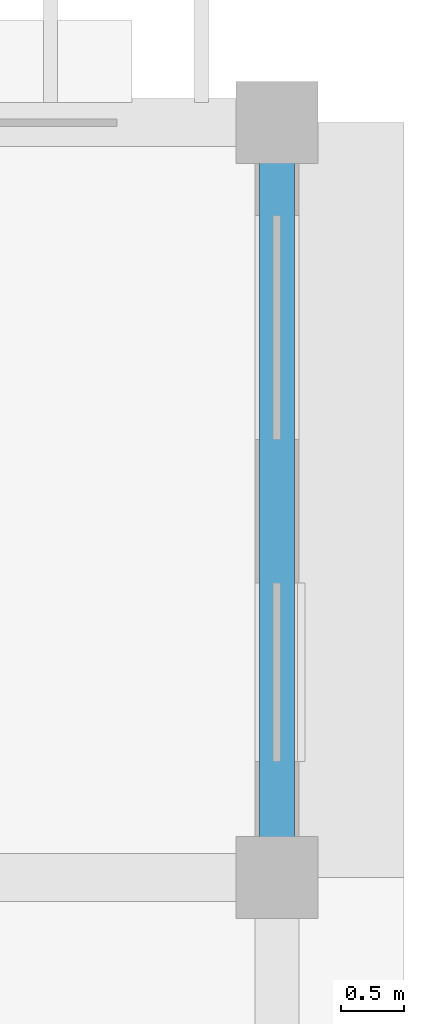
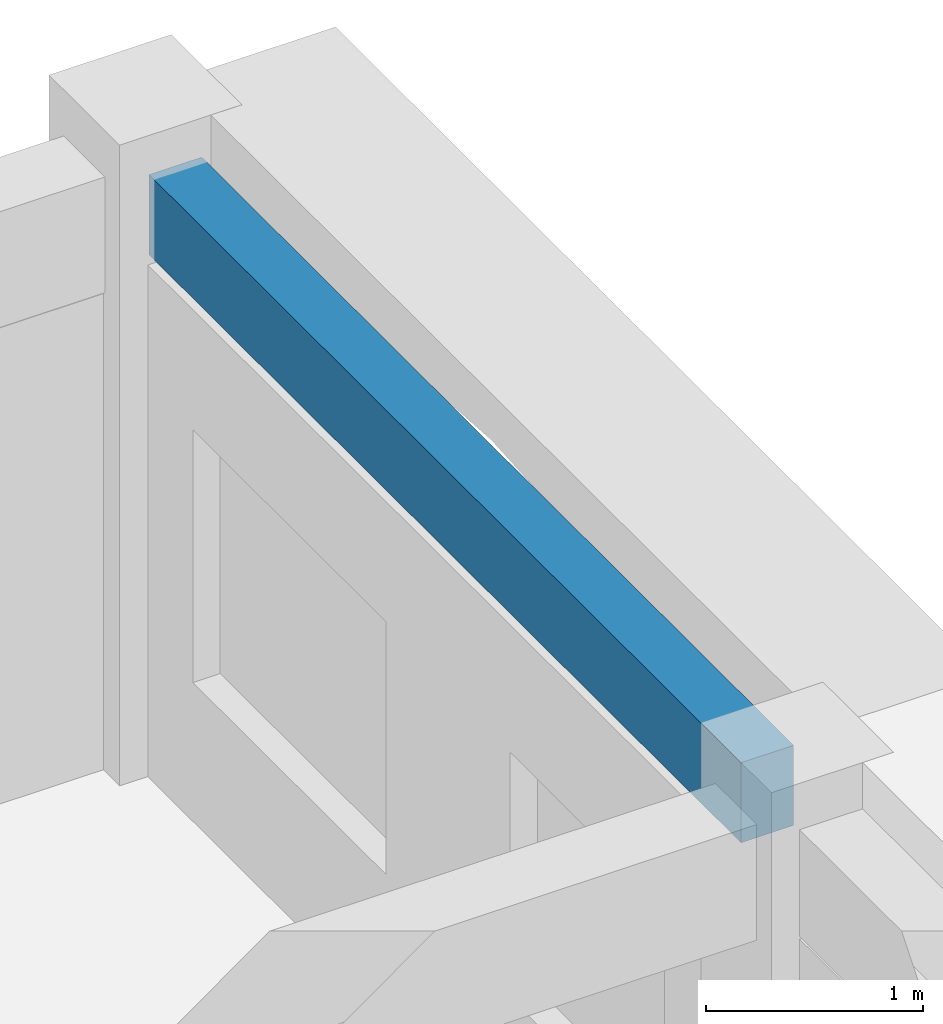
# One storey, part 37 of 88: 1 beam.
"""IFC4 building model written with IfcOpenShell, lengths in metres."""

import ifcopenshell
import ifcopenshell.guid

model = None  # the IFC model being written
_history = None  # IfcOwnerHistory: only IFC2X3 demands one
_inside = {}  # id of a spatial element -> (the spatial element, [elements in it])
_under = {}  # id of a project, library or spatial element -> (it, [spatial elements below it])
_declared = {}  # id of a project -> (the project, [libraries it declares])
_typed = {}  # id of a type object -> (the type object, [elements of that type])
_made_of = {}  # id of a material, layer set ... -> (it, [elements and type objects made of it])


def new_model(schema):
    """Start an empty IFC model of exactly this schema.

    Asked for "IFC4X3", IfcOpenShell would pick the latest addendum, in which some entities
    have other attributes; the version numbers below select the first issue.
    IFC2X3 requires an IfcOwnerHistory on every rooted entity: one is made here for all.
    """
    global model, _history
    if schema == "IFC4X3":
        model = ifcopenshell.file(schema_version=(4, 3, 0, 0))
    else:
        model = ifcopenshell.file(schema=schema)
    _inside.clear()
    _under.clear()
    _declared.clear()
    _typed.clear()
    _made_of.clear()
    _history = None
    if model.schema == "IFC2X3":
        org = make("IfcOrganization", Name="unknown")
        user = make(
            "IfcPersonAndOrganization",
            ThePerson=make("IfcPerson", FamilyName="unknown"),
            TheOrganization=org,
        )
        app = make(
            "IfcApplication",
            ApplicationDeveloper=org,
            Version="unknown",
            ApplicationFullName="unknown",
            ApplicationIdentifier="unknown",
        )
        _history = make(
            "IfcOwnerHistory",
            OwningUser=user,
            OwningApplication=app,
            ChangeAction="ADDED",
            CreationDate=0,
        )
    return model


def make(cls, **values):
    """One entity of the class cls with the attributes given. An attribute that is None is left unset."""
    return model.create_entity(
        cls, **{name: value for name, value in values.items() if value is not None}
    )


def rooted(cls, **values):
    """An entity with a GlobalId (a new one), such as an element, a storey or a relation."""
    return make(cls, GlobalId=ifcopenshell.guid.new(), OwnerHistory=_history, **values)


def si_unit(unit_type, name, prefix=None):
    """IfcSIUnit, for example si_unit("LENGTHUNIT", "METRE", prefix="MILLI")."""
    return make("IfcSIUnit", UnitType=unit_type, Prefix=prefix, Name=name)


def assignment(units):
    """IfcUnitAssignment: the units of a project."""
    return None if units is None else make("IfcUnitAssignment", Units=units)


def point(xyz):
    """IfcCartesianPoint."""
    return None if xyz is None else make("IfcCartesianPoint", Coordinates=xyz)


def direction(xyz):
    """IfcDirection."""
    return None if xyz is None else make("IfcDirection", DirectionRatios=xyz)


def frame(location, z_axis=None, x_axis=None):
    """IfcAxis2Placement3D, a coordinate frame: its origin and axes. An axis left out is left unset."""
    return make(
        "IfcAxis2Placement3D",
        Location=point(location),
        Axis=direction(z_axis),
        RefDirection=direction(x_axis),
    )


def frame_2d(location, x_axis=None):
    """IfcAxis2Placement2D, a coordinate frame in the plane: its origin and x axis."""
    return make(
        "IfcAxis2Placement2D", Location=point(location), RefDirection=direction(x_axis)
    )


def origin():
    """The frame at (0, 0, 0) with its axes left unset."""
    return frame((0.0, 0.0, 0.0))


def origin_2d():
    """The frame at (0, 0) in the plane with its x axis left unset."""
    return frame_2d((0.0, 0.0))


def place(relative_to, where):
    """IfcLocalPlacement: puts the frame where relative to a parent placement (None: the world)."""
    return make(
        "IfcLocalPlacement", PlacementRelTo=relative_to, RelativePlacement=where
    )


def context(
    kind, dimensions, precision=None, world=None, true_north=None, identifier=None
):
    """IfcGeometricRepresentationContext, for example the 3D "Model" context."""
    return make(
        "IfcGeometricRepresentationContext",
        ContextIdentifier=identifier,
        ContextType=kind,
        CoordinateSpaceDimension=dimensions,
        Precision=precision,
        WorldCoordinateSystem=world,
        TrueNorth=true_north,
    )


def subcontext(parent, identifier, kind, view, scale=None):
    """IfcGeometricRepresentationSubContext, for example "Body" below "Model"."""
    return make(
        "IfcGeometricRepresentationSubContext",
        ContextIdentifier=identifier,
        ContextType=kind,
        ParentContext=parent,
        TargetScale=scale,
        TargetView=view,
    )


def project(units=None, contexts=None):
    """IfcProject with its units and contexts."""
    return rooted(
        "IfcProject",
        Name="project",
        RepresentationContexts=contexts,
        UnitsInContext=assignment(units),
    )


def spatial(cls, under=None, at=None, **own):
    """A site, building, storey or space (cls), placed at a placement, below another one or the project."""
    s = rooted(cls, ObjectPlacement=at, **own)
    if under is not None:
        _under.setdefault(under.id(), (under, []))[1].append(s)
    return s


def profile(cls, at=None, kind="AREA", **sizes):
    """A parametric profile (cls). Its sizes go by their IFC names, for example OverallWidth=200.0."""
    return make(cls, ProfileType=kind, Position=at, **sizes)


def rectangle(**sizes):
    """IfcRectangleProfileDef."""
    return profile("IfcRectangleProfileDef", **sizes)


def extrude(swept, where, along, depth):
    """IfcExtrudedAreaSolid: the profile swept, set in the frame where, extruded along a direction by depth."""
    return make(
        "IfcExtrudedAreaSolid",
        SweptArea=swept,
        Position=where,
        ExtrudedDirection=direction(along),
        Depth=depth,
    )


def shape(context_of_items, identifier, shape_type, items):
    """IfcShapeRepresentation: the items that make up one representation, for example the "Body"."""
    return make(
        "IfcShapeRepresentation",
        ContextOfItems=context_of_items,
        RepresentationIdentifier=identifier,
        RepresentationType=shape_type,
        Items=items,
    )


def material(Name=None, Category=None):
    """IfcMaterial."""
    return make("IfcMaterial", Name=Name, Category=Category)


def material_profile(
    of_material, cross_section, Name=None, Category=None, Priority=None
):
    """IfcMaterialProfile: a cross section and its material."""
    return make(
        "IfcMaterialProfile",
        Name=Name,
        Material=of_material,
        Profile=cross_section,
        Priority=Priority,
        Category=Category,
    )


def profile_set(profiles, Name=None, composite=None):
    """IfcMaterialProfileSet."""
    return make(
        "IfcMaterialProfileSet",
        Name=Name,
        MaterialProfiles=profiles,
        CompositeProfile=composite,
    )


def made_of(thing, what):
    """Note that an element or type object is made of a material, layer set ...; save() writes the relation."""
    if what is not None:
        _made_of.setdefault(what.id(), (what, []))[1].append(thing)
    return thing


def type_object(cls, material=None, **own):
    """A type object (cls), such as IfcWallType, which elements share."""
    return made_of(rooted(cls, **own), material)


def element(
    cls,
    number,
    at=None,
    inside=None,
    cuts=None,
    type_object=None,
    material=None,
    context=None,
    identifier="Body",
    shape_type=None,
    held_by="IfcProductDefinitionShape",
    body=None,
    shapes=None,
    **own,
):
    """One element of the class cls, such as IfcWall. Its Tag is "e" and its number.

    at: its placement. inside: the storey or other place that contains it. cuts: it is an
    opening in that element (IfcRelVoidsElement). A single representation is given by context,
    identifier, shape_type and body (its items); several are given by shapes. held_by: the class
    of the entity that holds the representations. save() writes the other relations.
    """
    e = rooted(cls, Tag="e%d" % number, ObjectPlacement=at, **own)
    if body is not None:
        shapes = [shape(context, identifier, shape_type, body)]
    if shapes is not None:
        e.Representation = make(held_by, Representations=shapes)
    if inside is not None:
        _inside.setdefault(inside.id(), (inside, []))[1].append(e)
    if cuts is not None:
        rooted(
            "IfcRelVoidsElement", RelatingBuildingElement=cuts, RelatedOpeningElement=e
        )
    if type_object is not None:
        _typed.setdefault(type_object.id(), (type_object, []))[1].append(e)
    return made_of(e, material)


def aggregate(whole, parts):
    """IfcRelAggregates: a whole, such as a stair, and the parts it consists of."""
    return rooted("IfcRelAggregates", RelatingObject=whole, RelatedObjects=parts)


def save(model, path):
    """Write the relations noted so far, then the file.

    IfcRelAggregates (storeys below a building ...), IfcRelContainedInSpatialStructure (elements
    in a storey), IfcRelDefinesByType, IfcRelAssociatesMaterial and IfcRelDeclares: one each for
    every whole, place, type object, material and project.
    """
    for whole, parts in _under.values():
        aggregate(whole, parts)
    for where, things in _inside.values():
        rooted(
            "IfcRelContainedInSpatialStructure",
            RelatedElements=things,
            RelatingStructure=where,
        )
    for kind, things in _typed.values():
        rooted("IfcRelDefinesByType", RelatedObjects=things, RelatingType=kind)
    for what, things in _made_of.values():
        rooted("IfcRelAssociatesMaterial", RelatedObjects=things, RelatingMaterial=what)
    for by, libraries in _declared.values():
        rooted("IfcRelDeclares", RelatingContext=by, RelatedDefinitions=libraries)
    model.write(path)


model = new_model("IFC4")

# Units and contexts
model_context = context("Model", 3, precision=1e-05, world=origin(), true_north=direction((0.0, 1.0)))
body_context = subcontext(model_context, "Body", "Model", "MODEL_VIEW")
ifc_project = project(units=[si_unit("LENGTHUNIT", "METRE"), si_unit("AREAUNIT", "SQUARE_METRE"), si_unit("VOLUMEUNIT", "CUBIC_METRE"), si_unit("PLANEANGLEUNIT", "RADIAN"), si_unit("MASSUNIT", "GRAM", prefix="KILO"), si_unit("THERMODYNAMICTEMPERATUREUNIT", "KELVIN")], contexts=[model_context])

# Site, building, storey
site_placement = place(None, origin())
site = spatial("IfcSite", under=ifc_project, at=site_placement, CompositionType="ELEMENT")
building_placement = place(site_placement, origin())
building = spatial("IfcBuilding", under=site, at=building_placement, Name="Thalorik Housing Commons", CompositionType="ELEMENT")
storey_placement = place(building_placement, frame((0.0, 0.0, 4.5)))
storey = spatial("IfcBuildingStorey", under=building, at=storey_placement, Name="L01", CompositionType="ELEMENT", Elevation=4.5)

# Beam
ifc_material = material(Name="Precast concrete C40/50", Category="concrete")
ifc_material_profile = material_profile(ifc_material, rectangle(XDim=0.280029296875, YDim=0.449951171875, at=origin_2d()), Name="PC 280x450", Category="concrete")
ifc_profile_set = profile_set([ifc_material_profile], Name="Precast concrete C40/50")
beam_type = type_object("IfcBeamType", Name="STR-BM-PC280x450", PredefinedType="BEAM", material=ifc_profile_set)
beam_placement = place(storey_placement, frame((174.0, 66.27490234375, 3.114990234375), z_axis=(0.0, 1.0, 0.0), x_axis=(-1.0, 0.0, 0.0)))
element("IfcBeam", 1, at=beam_placement, inside=storey, type_object=beam_type, Name="L01 Beam B-450", PredefinedType="BEAM", context=body_context, shape_type="SweptSolid", body=[
    extrude(rectangle(XDim=0.280029296875, YDim=0.449951171875, at=origin_2d()), origin(), (0.0, 0.0, 1.0), 5.4501953125),
])

save(model, "model.ifc")
